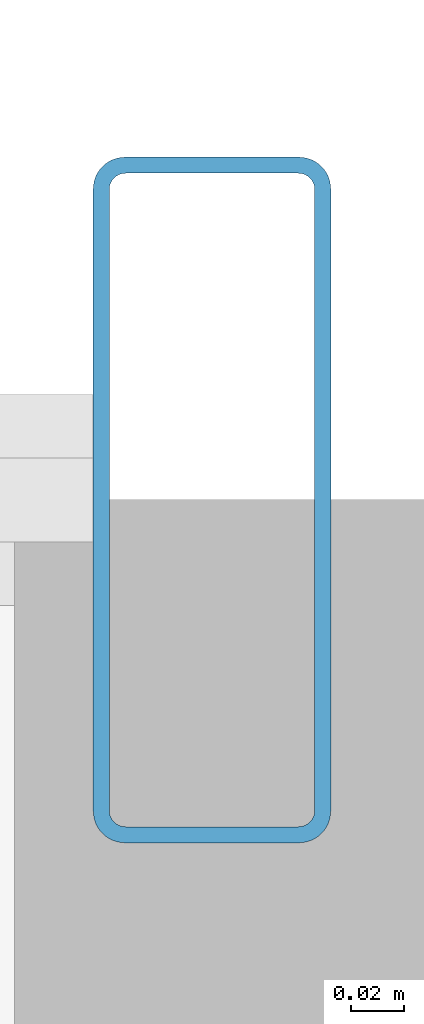
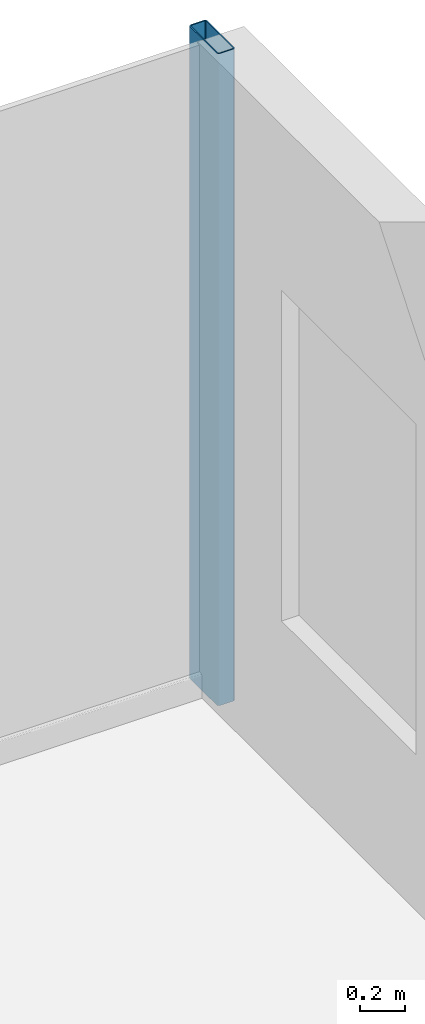
# One storey, part 17 of 29: 1 member, 1 element without a shape of its own.
"""IFC4 building model written with IfcOpenShell, lengths in metres."""

from ifc_helpers import new_model, si_unit, direction, frame, origin, origin_2d, place, context, subcontext, project, spatial, hollow_rectangle, extrude, source, transform, mapped, material, layer, layer_set, material_profile, profile_set, type_object, element, aggregate, save


model = new_model("IFC4")

# Units and contexts
model_context = context("Model", 3, precision=1e-05, world=origin(), true_north=direction((0.0, 1.0)))
body_context = subcontext(model_context, "Body", "Model", "MODEL_VIEW")
ifc_project = project(units=[si_unit("LENGTHUNIT", "METRE"), si_unit("AREAUNIT", "SQUARE_METRE"), si_unit("VOLUMEUNIT", "CUBIC_METRE"), si_unit("PLANEANGLEUNIT", "RADIAN"), si_unit("MASSUNIT", "GRAM", prefix="KILO")], contexts=[model_context])

# Site, building, storey
site_placement = place(None, origin())
site = spatial("IfcSite", under=ifc_project, at=site_placement, CompositionType="ELEMENT")
building_placement = place(site_placement, origin())
building = spatial("IfcBuilding", under=site, at=building_placement, Name="Nefas-Gora Pilgrimage Tower", CompositionType="ELEMENT")
storey_placement = place(building_placement, frame((0.0, 0.0, 136.39990234375)))
storey = spatial("IfcBuildingStorey", under=building, at=storey_placement, Name="L33", CompositionType="ELEMENT", Elevation=136.39990234375)

# Curtain wall, member
ifc_material_1 = material(Name="Dark ceramic-fritted solar-control aluminium-glass curtain wall", Category="aluminium")
ifc_layer = layer(ifc_material_1, 0.219970703125)
ifc_layer_set = layer_set([ifc_layer], Name="Dark ceramic-fritted solar-control aluminium-glass curtain wall")
curtain_wall_type = type_object("IfcCurtainWallType", Name="CW-SYS-2", PredefinedType="NOTDEFINED", material=ifc_layer_set)
curtain_wall_placement = place(storey_placement, origin())
curtain_wall = element("IfcCurtainWall", 1, at=curtain_wall_placement, inside=storey, type_object=curtain_wall_type, Name="L33 Unitised Curtain Wall CW2", PredefinedType="NOTDEFINED")
ifc_material_2 = material(Name="Anodised architectural aluminium", Category="aluminium")
ifc_material_profile = material_profile(ifc_material_2, hollow_rectangle(XDim=0.090087890625, YDim=0.260009765625, WallThickness=0.006103515625, InnerFilletRadius=0.006103515625, OuterFilletRadius=0.011962890625, at=origin_2d()), Name="ALU MULLION 90x260")
ifc_profile_set = profile_set([ifc_material_profile], Name="Anodised architectural aluminium")
member_type = type_object("IfcMemberType", Name="CWM-MUL-2", PredefinedType="MULLION", material=ifc_profile_set)
shared_shape = source(origin(), body_context, "Body", "SweptSolid", [
    extrude(hollow_rectangle(XDim=0.090087890625, YDim=0.260009765625, WallThickness=0.006103515625, InnerFilletRadius=0.006103515625, OuterFilletRadius=0.011962890625, at=origin_2d()), origin(), (0.0, 0.0, 1.0), 3.550048828125),
])
member_placement = place(storey_placement, frame((28.824951171875, 23.02001953125, 0.0), z_axis=(0.0, 0.0, 1.0), x_axis=(-1.0, 0.0, 0.0)))
member = element("IfcMember", 2, at=member_placement, type_object=member_type, Name="CW2 Mullion 1", PredefinedType="MULLION", context=body_context, shape_type="MappedRepresentation", body=[
    mapped(shared_shape, transform((0.0, 0.0, 0.0), x_axis=(1.0, 0.0, 0.0), y_axis=(0.0, 1.0, 0.0), z_axis=(0.0, 0.0, 1.0), scale=1.0)),
])
aggregate(curtain_wall, [member])

save(model, "model.ifc")
